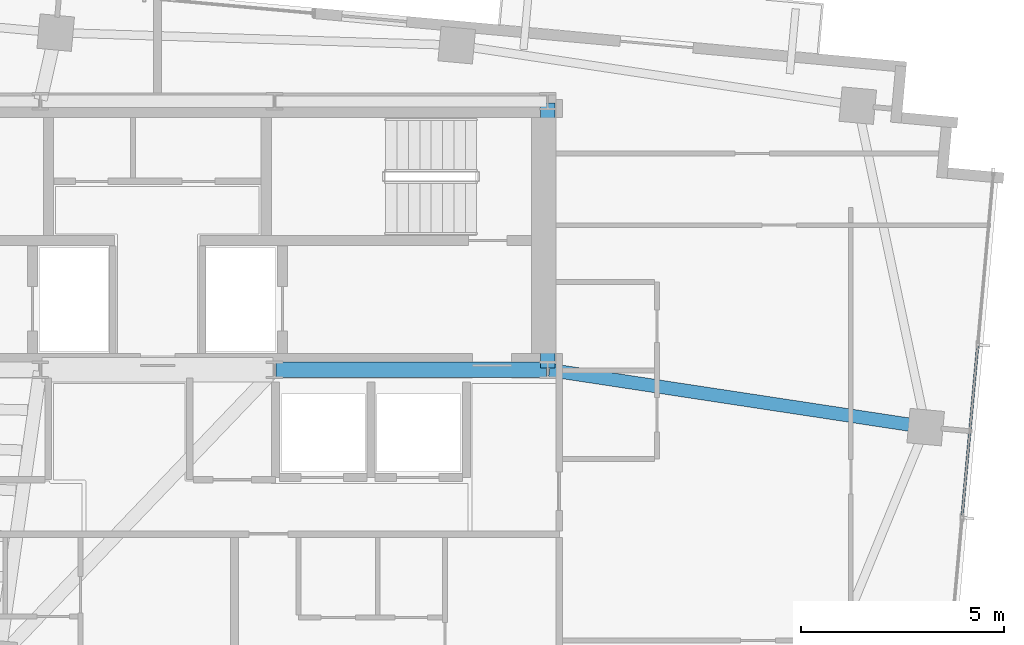
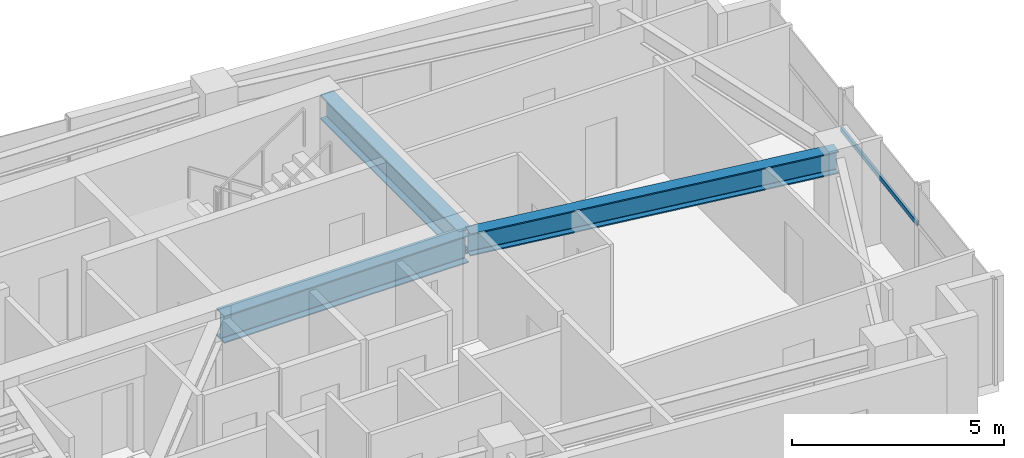
# One storey, part 13 of 22: 3 beams, 1 member, 1 element without a shape of its own.
"""IFC4 building model written with IfcOpenShell, lengths in metres."""

import ifcopenshell
import ifcopenshell.guid

model = None  # the IFC model being written
_history = None  # IfcOwnerHistory: only IFC2X3 demands one
_inside = {}  # id of a spatial element -> (the spatial element, [elements in it])
_under = {}  # id of a project, library or spatial element -> (it, [spatial elements below it])
_declared = {}  # id of a project -> (the project, [libraries it declares])
_typed = {}  # id of a type object -> (the type object, [elements of that type])
_made_of = {}  # id of a material, layer set ... -> (it, [elements and type objects made of it])


def new_model(schema):
    """Start an empty IFC model of exactly this schema.

    Asked for "IFC4X3", IfcOpenShell would pick the latest addendum, in which some entities
    have other attributes; the version numbers below select the first issue.
    IFC2X3 requires an IfcOwnerHistory on every rooted entity: one is made here for all.
    """
    global model, _history
    if schema == "IFC4X3":
        model = ifcopenshell.file(schema_version=(4, 3, 0, 0))
    else:
        model = ifcopenshell.file(schema=schema)
    _inside.clear()
    _under.clear()
    _declared.clear()
    _typed.clear()
    _made_of.clear()
    _history = None
    if model.schema == "IFC2X3":
        org = make("IfcOrganization", Name="unknown")
        user = make(
            "IfcPersonAndOrganization",
            ThePerson=make("IfcPerson", FamilyName="unknown"),
            TheOrganization=org,
        )
        app = make(
            "IfcApplication",
            ApplicationDeveloper=org,
            Version="unknown",
            ApplicationFullName="unknown",
            ApplicationIdentifier="unknown",
        )
        _history = make(
            "IfcOwnerHistory",
            OwningUser=user,
            OwningApplication=app,
            ChangeAction="ADDED",
            CreationDate=0,
        )
    return model


def make(cls, **values):
    """One entity of the class cls with the attributes given. An attribute that is None is left unset."""
    return model.create_entity(
        cls, **{name: value for name, value in values.items() if value is not None}
    )


def rooted(cls, **values):
    """An entity with a GlobalId (a new one), such as an element, a storey or a relation."""
    return make(cls, GlobalId=ifcopenshell.guid.new(), OwnerHistory=_history, **values)


def si_unit(unit_type, name, prefix=None):
    """IfcSIUnit, for example si_unit("LENGTHUNIT", "METRE", prefix="MILLI")."""
    return make("IfcSIUnit", UnitType=unit_type, Prefix=prefix, Name=name)


def assignment(units):
    """IfcUnitAssignment: the units of a project."""
    return None if units is None else make("IfcUnitAssignment", Units=units)


def point(xyz):
    """IfcCartesianPoint."""
    return None if xyz is None else make("IfcCartesianPoint", Coordinates=xyz)


def direction(xyz):
    """IfcDirection."""
    return None if xyz is None else make("IfcDirection", DirectionRatios=xyz)


def frame(location, z_axis=None, x_axis=None):
    """IfcAxis2Placement3D, a coordinate frame: its origin and axes. An axis left out is left unset."""
    return make(
        "IfcAxis2Placement3D",
        Location=point(location),
        Axis=direction(z_axis),
        RefDirection=direction(x_axis),
    )


def frame_2d(location, x_axis=None):
    """IfcAxis2Placement2D, a coordinate frame in the plane: its origin and x axis."""
    return make(
        "IfcAxis2Placement2D", Location=point(location), RefDirection=direction(x_axis)
    )


def origin():
    """The frame at (0, 0, 0) with its axes left unset."""
    return frame((0.0, 0.0, 0.0))


def origin_2d():
    """The frame at (0, 0) in the plane with its x axis left unset."""
    return frame_2d((0.0, 0.0))


def place(relative_to, where):
    """IfcLocalPlacement: puts the frame where relative to a parent placement (None: the world)."""
    return make(
        "IfcLocalPlacement", PlacementRelTo=relative_to, RelativePlacement=where
    )


def context(
    kind, dimensions, precision=None, world=None, true_north=None, identifier=None
):
    """IfcGeometricRepresentationContext, for example the 3D "Model" context."""
    return make(
        "IfcGeometricRepresentationContext",
        ContextIdentifier=identifier,
        ContextType=kind,
        CoordinateSpaceDimension=dimensions,
        Precision=precision,
        WorldCoordinateSystem=world,
        TrueNorth=true_north,
    )


def subcontext(parent, identifier, kind, view, scale=None):
    """IfcGeometricRepresentationSubContext, for example "Body" below "Model"."""
    return make(
        "IfcGeometricRepresentationSubContext",
        ContextIdentifier=identifier,
        ContextType=kind,
        ParentContext=parent,
        TargetScale=scale,
        TargetView=view,
    )


def project(units=None, contexts=None):
    """IfcProject with its units and contexts."""
    return rooted(
        "IfcProject",
        Name="project",
        RepresentationContexts=contexts,
        UnitsInContext=assignment(units),
    )


def spatial(cls, under=None, at=None, **own):
    """A site, building, storey or space (cls), placed at a placement, below another one or the project."""
    s = rooted(cls, ObjectPlacement=at, **own)
    if under is not None:
        _under.setdefault(under.id(), (under, []))[1].append(s)
    return s


def profile(cls, at=None, kind="AREA", **sizes):
    """A parametric profile (cls). Its sizes go by their IFC names, for example OverallWidth=200.0."""
    return make(cls, ProfileType=kind, Position=at, **sizes)


def hollow_rectangle(**sizes):
    """IfcRectangleHollowProfileDef."""
    return profile("IfcRectangleHollowProfileDef", **sizes)


def i_section(**sizes):
    """IfcIShapeProfileDef."""
    return profile("IfcIShapeProfileDef", **sizes)


def extrude(swept, where, along, depth):
    """IfcExtrudedAreaSolid: the profile swept, set in the frame where, extruded along a direction by depth."""
    return make(
        "IfcExtrudedAreaSolid",
        SweptArea=swept,
        Position=where,
        ExtrudedDirection=direction(along),
        Depth=depth,
    )


def shape(context_of_items, identifier, shape_type, items):
    """IfcShapeRepresentation: the items that make up one representation, for example the "Body"."""
    return make(
        "IfcShapeRepresentation",
        ContextOfItems=context_of_items,
        RepresentationIdentifier=identifier,
        RepresentationType=shape_type,
        Items=items,
    )


def source(mapping_origin, context_of_items, identifier, shape_type, items):
    """IfcRepresentationMap: a shape defined once, which mapped items show again and again."""
    return make(
        "IfcRepresentationMap",
        MappingOrigin=mapping_origin,
        MappedRepresentation=shape(context_of_items, identifier, shape_type, items),
    )


def transform(
    local_origin,
    x_axis=None,
    y_axis=None,
    z_axis=None,
    scale=None,
    scale2=None,
    scale3=None,
    uniform=True,
):
    """IfcCartesianTransformationOperator3D, or its non-uniform kind. x_axis, y_axis, z_axis: its Axis1, 2, 3."""
    if uniform:
        return make(
            "IfcCartesianTransformationOperator3D",
            Axis1=direction(x_axis),
            Axis2=direction(y_axis),
            LocalOrigin=point(local_origin),
            Scale=scale,
            Axis3=direction(z_axis),
        )
    return make(
        "IfcCartesianTransformationOperator3DnonUniform",
        Axis1=direction(x_axis),
        Axis2=direction(y_axis),
        LocalOrigin=point(local_origin),
        Scale=scale,
        Axis3=direction(z_axis),
        Scale2=scale2,
        Scale3=scale3,
    )


def mapped(mapping_source, mapping_target):
    """IfcMappedItem: shows the shape of a source again, moved by a transform."""
    return make(
        "IfcMappedItem", MappingSource=mapping_source, MappingTarget=mapping_target
    )


def material(Name=None, Category=None):
    """IfcMaterial."""
    return make("IfcMaterial", Name=Name, Category=Category)


def material_profile(
    of_material, cross_section, Name=None, Category=None, Priority=None
):
    """IfcMaterialProfile: a cross section and its material."""
    return make(
        "IfcMaterialProfile",
        Name=Name,
        Material=of_material,
        Profile=cross_section,
        Priority=Priority,
        Category=Category,
    )


def profile_set(profiles, Name=None, composite=None):
    """IfcMaterialProfileSet."""
    return make(
        "IfcMaterialProfileSet",
        Name=Name,
        MaterialProfiles=profiles,
        CompositeProfile=composite,
    )


def made_of(thing, what):
    """Note that an element or type object is made of a material, layer set ...; save() writes the relation."""
    if what is not None:
        _made_of.setdefault(what.id(), (what, []))[1].append(thing)
    return thing


def type_object(cls, material=None, **own):
    """A type object (cls), such as IfcWallType, which elements share."""
    return made_of(rooted(cls, **own), material)


def type_shapes(of_type, sources):
    """Give a type object the sources (RepresentationMaps) that its elements show as mapped items."""
    of_type.RepresentationMaps = sources


def element(
    cls,
    number,
    at=None,
    inside=None,
    cuts=None,
    type_object=None,
    material=None,
    context=None,
    identifier="Body",
    shape_type=None,
    held_by="IfcProductDefinitionShape",
    body=None,
    shapes=None,
    **own,
):
    """One element of the class cls, such as IfcWall. Its Tag is "e" and its number.

    at: its placement. inside: the storey or other place that contains it. cuts: it is an
    opening in that element (IfcRelVoidsElement). A single representation is given by context,
    identifier, shape_type and body (its items); several are given by shapes. held_by: the class
    of the entity that holds the representations. save() writes the other relations.
    """
    e = rooted(cls, Tag="e%d" % number, ObjectPlacement=at, **own)
    if body is not None:
        shapes = [shape(context, identifier, shape_type, body)]
    if shapes is not None:
        e.Representation = make(held_by, Representations=shapes)
    if inside is not None:
        _inside.setdefault(inside.id(), (inside, []))[1].append(e)
    if cuts is not None:
        rooted(
            "IfcRelVoidsElement", RelatingBuildingElement=cuts, RelatedOpeningElement=e
        )
    if type_object is not None:
        _typed.setdefault(type_object.id(), (type_object, []))[1].append(e)
    return made_of(e, material)


def aggregate(whole, parts):
    """IfcRelAggregates: a whole, such as a stair, and the parts it consists of."""
    return rooted("IfcRelAggregates", RelatingObject=whole, RelatedObjects=parts)


def save(model, path):
    """Write the relations noted so far, then the file.

    IfcRelAggregates (storeys below a building ...), IfcRelContainedInSpatialStructure (elements
    in a storey), IfcRelDefinesByType, IfcRelAssociatesMaterial and IfcRelDeclares: one each for
    every whole, place, type object, material and project.
    """
    for whole, parts in _under.values():
        aggregate(whole, parts)
    for where, things in _inside.values():
        rooted(
            "IfcRelContainedInSpatialStructure",
            RelatedElements=things,
            RelatingStructure=where,
        )
    for kind, things in _typed.values():
        rooted("IfcRelDefinesByType", RelatedObjects=things, RelatingType=kind)
    for what, things in _made_of.values():
        rooted("IfcRelAssociatesMaterial", RelatedObjects=things, RelatingMaterial=what)
    for by, libraries in _declared.values():
        rooted("IfcRelDeclares", RelatingContext=by, RelatedDefinitions=libraries)
    model.write(path)


model = new_model("IFC4")

# Units and contexts
model_context = context("Model", 3, precision=1e-05, world=origin(), true_north=direction((0.0, 1.0)))
body_context = subcontext(model_context, "Body", "Model", "MODEL_VIEW")
ifc_project = project(units=[si_unit("LENGTHUNIT", "METRE"), si_unit("AREAUNIT", "SQUARE_METRE"), si_unit("VOLUMEUNIT", "CUBIC_METRE"), si_unit("PLANEANGLEUNIT", "RADIAN"), si_unit("MASSUNIT", "GRAM", prefix="KILO")], contexts=[model_context])

# Site, building, storey
site_placement = place(None, origin())
site = spatial("IfcSite", under=ifc_project, at=site_placement, CompositionType="ELEMENT")
building_placement = place(site_placement, origin())
building = spatial("IfcBuilding", under=site, at=building_placement, Name="Astriad Promenade Condominiums", CompositionType="ELEMENT")
storey_placement = place(building_placement, frame((0.0, 0.0, 223.199951171875)))
storey = spatial("IfcBuildingStorey", under=building, at=storey_placement, Name="L64", CompositionType="ELEMENT", Elevation=223.199951171875)

# Beams
ifc_material_1 = material(Name="Steel ASTM A992 Grade 50", Category="steel")
ifc_material_profile_1 = material_profile(ifc_material_1, i_section(OverallWidth=0.3837890625, OverallDepth=0.785888671875, WebThickness=0.019775390625, FlangeThickness=0.033447265625, FilletRadius=0.021484375, at=origin_2d()), Name="W30X211")
ifc_profile_set_1 = profile_set([ifc_material_profile_1], Name="Steel ASTM A992 Grade 50")
beam_type_1 = type_object("IfcBeamType", Name="STEEL FLOOR GIRDER W30X211", PredefinedType="BEAM", material=ifc_profile_set_1)
shared_shape_1 = source(origin(), body_context, "Body", "SweptSolid", [
    extrude(i_section(OverallWidth=0.3837890625, OverallDepth=0.785888671875, WebThickness=0.019775390625, FlangeThickness=0.033447265625, FilletRadius=0.021484375, at=origin_2d()), origin(), (0.0, 0.0, 1.0), 6.64013671875),
])
type_shapes(beam_type_1, [shared_shape_1])
beam_1_placement = place(storey_placement, frame((38.919921875, 17.39990234375, 2.64697265625), z_axis=(1.0, 0.0, 0.0), x_axis=(0.0, 1.0, 0.0)))
element("IfcBeam", 1, at=beam_1_placement, inside=storey, type_object=beam_type_1, Name="Core Ring Beam CG-S3-L64", PredefinedType="BEAM", context=body_context, shape_type="MappedRepresentation", body=[
    mapped(shared_shape_1, transform((0.0, 0.0, 0.0), scale=1.0)),
])
ifc_material_profile_2 = material_profile(ifc_material_1, i_section(OverallWidth=0.35791015625, OverallDepth=0.706298828125, WebThickness=0.018310546875, FlangeThickness=0.0302734375, FilletRadius=0.020263671875, at=origin_2d()), Name="W27X178")
ifc_profile_set_2 = profile_set([ifc_material_profile_2], Name="Steel ASTM A992 Grade 50")
beam_type_2 = type_object("IfcBeamType", Name="STEEL FLOOR GIRDER W27X178", PredefinedType="BEAM", material=ifc_profile_set_2)
shared_shape_2 = source(origin(), body_context, "Body", "SweptSolid", [
    extrude(i_section(OverallWidth=0.35791015625, OverallDepth=0.706298828125, WebThickness=0.018310546875, FlangeThickness=0.0302734375, FilletRadius=0.020263671875, at=origin_2d()), origin(), (0.0, 0.0, 1.0), 6.52001953125),
])
type_shapes(beam_type_2, [shared_shape_2])
beam_2_placement = place(storey_placement, frame((45.60009765625, 17.43994140625, 2.686767578125), z_axis=(0.0, 1.0, 0.0), x_axis=(-1.0, 0.0, 0.0)))
element("IfcBeam", 2, at=beam_2_placement, inside=storey, type_object=beam_type_2, Name="Core Ring Beam CG-E1-L64", PredefinedType="BEAM", context=body_context, shape_type="MappedRepresentation", body=[
    mapped(shared_shape_2, transform((0.0, 0.0, 0.0), scale=1.0)),
])
ifc_material_profile_3 = material_profile(ifc_material_1, i_section(OverallWidth=0.327392578125, OverallDepth=0.640625, WebThickness=0.01904296875, FlangeThickness=0.033935546875, FilletRadius=0.017822265625, at=origin_2d()), Name="W24X176")
ifc_profile_set_3 = profile_set([ifc_material_profile_3], Name="Steel ASTM A992 Grade 50")
beam_type_3 = type_object("IfcBeamType", Name="STEEL FLOOR GIRDER W24X176", PredefinedType="BEAM", material=ifc_profile_set_3)
shared_shape_3 = source(origin(), body_context, "Body", "SweptSolid", [
    extrude(i_section(OverallWidth=0.327392578125, OverallDepth=0.640625, WebThickness=0.01904296875, FlangeThickness=0.033935546875, FilletRadius=0.017822265625, at=origin_2d()), origin(), (0.0, 0.0, 1.0), 9.315185546875),
])
type_shapes(beam_type_3, [shared_shape_3])
beam_3_placement = place(storey_placement, frame((54.84912109375, 15.995849609375, 2.7197265625), z_axis=(-0.988671230988, 0.150097291834, 0.0), x_axis=(-0.150097291834, -0.988671230988, 0.0)))
element("IfcBeam", 3, at=beam_3_placement, inside=storey, type_object=beam_type_3, Name="Primary Floor Girder PG-EM-L64", PredefinedType="BEAM", context=body_context, shape_type="MappedRepresentation", body=[
    mapped(shared_shape_3, transform((0.0, 0.0, 0.0), scale=1.0)),
])

# Curtain wall, member
ifc_material_2 = material(Name="Anodised aluminium Black Dark Glass Unitised", Category="aluminium")
curtain_wall_type = type_object("IfcCurtainWallType", Name="CW-B5-DARK", PredefinedType="USERDEFINED", material=ifc_material_2)
curtain_wall_placement = place(storey_placement, origin())
curtain_wall = element("IfcCurtainWall", 4, at=curtain_wall_placement, inside=storey, type_object=curtain_wall_type, Name="CW-L64-E", ObjectType="UNITISED_CURTAIN_WALL", PredefinedType="USERDEFINED")
ifc_material_3 = material(Name="Anodised aluminium 6063-T6 Black", Category="aluminium")
ifc_material_profile_4 = material_profile(ifc_material_3, hollow_rectangle(XDim=0.06494140625, YDim=0.1298828125, WallThickness=0.00390625, at=origin_2d()), Name="ALU-TRN-65X130")
ifc_profile_set_4 = profile_set([ifc_material_profile_4], Name="Anodised aluminium 6063-T6 Black")
member_type = type_object("IfcMemberType", Name="TRN-ALU-TRN-65X130", PredefinedType="USERDEFINED", material=ifc_profile_set_4)
shared_shape_4 = source(origin(), body_context, "Body", "SweptSolid", [
    extrude(hollow_rectangle(XDim=0.06494140625, YDim=0.1298828125, WallThickness=0.00390625, at=origin_2d()), origin(), (0.0, 0.0, 1.0), 4.266845703125),
])
type_shapes(member_type, [shared_shape_4])
member_placement = place(storey_placement, frame((56.16748046875, 18.015625, 1.884765625), z_axis=(-0.090633767096, -0.995884290599, 0.0), x_axis=(0.995884290599, -0.090633767096, 0.0)))
member = element("IfcMember", 5, at=member_placement, type_object=member_type, Name="CW-L64-E-TRN-01-0", ObjectType="TRANSOM", PredefinedType="USERDEFINED", context=body_context, shape_type="MappedRepresentation", body=[
    mapped(shared_shape_4, transform((0.0, 0.0, 0.0), scale=1.0)),
])
aggregate(curtain_wall, [member])

save(model, "model.ifc")
